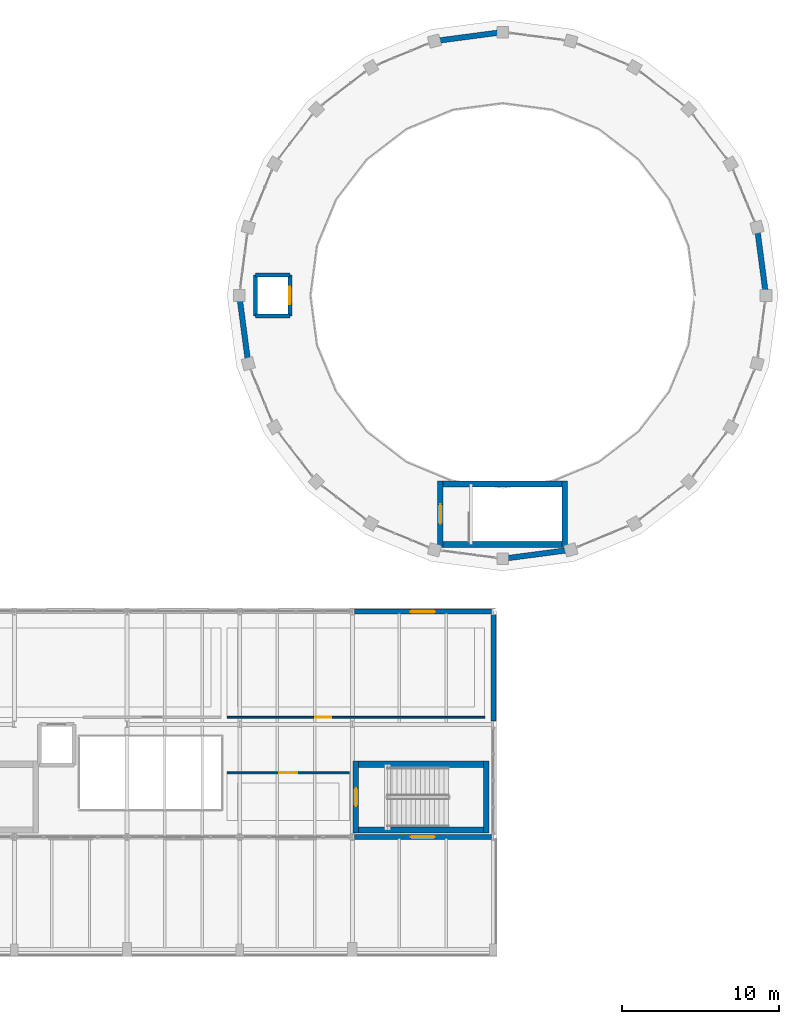
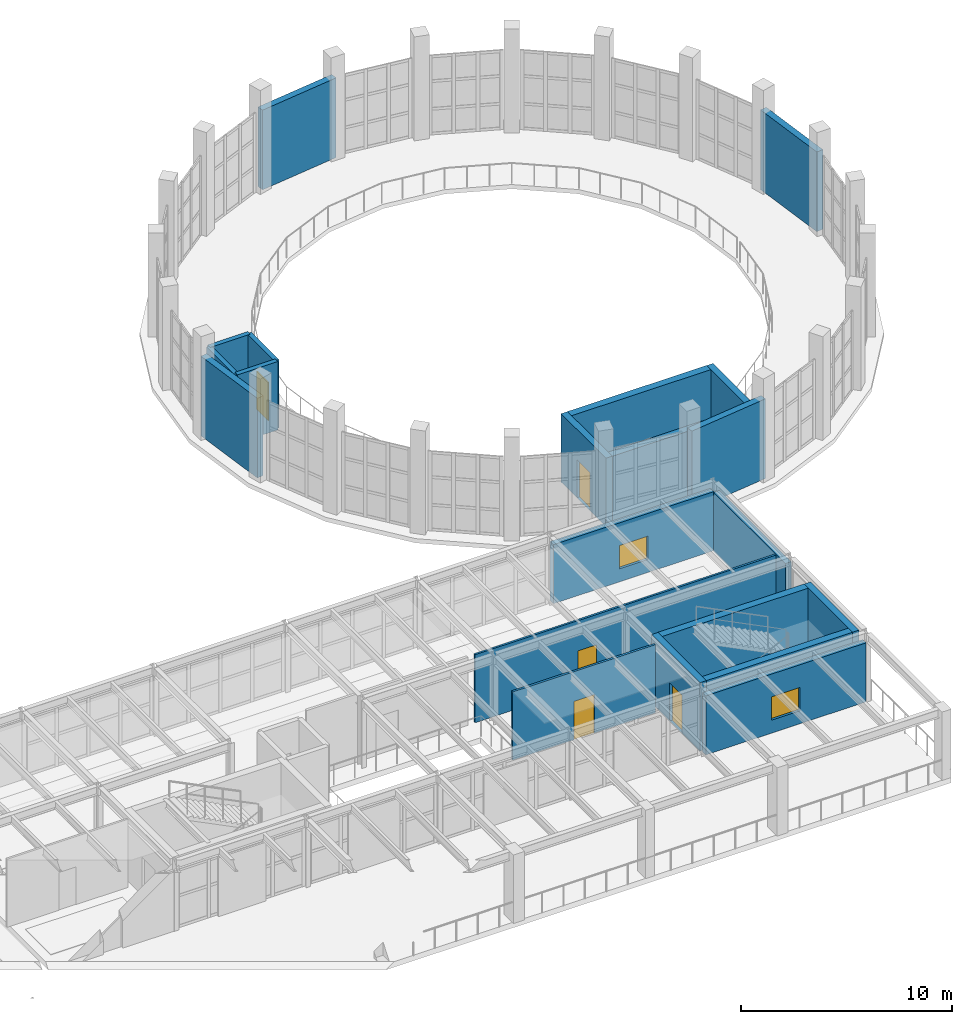
# One storey, part 43 of 59: 21 walls, 5 doors, 2 windows, 7 openings.
"""IFC4 building model written with IfcOpenShell, lengths in metres."""

from ifc_helpers import new_model, si_unit, direction, frame, frame_2d, origin, place, context, subcontext, project, spatial, rectangle, extrude, material, layer, layer_set, type_object, element, fill, save


model = new_model("IFC4")

# Units and contexts
model_context = context("Model", 3, precision=1e-05, world=origin(), true_north=direction((0.0, 1.0)))
body_context = subcontext(model_context, "Body", "Model", "MODEL_VIEW")
ifc_project = project(units=[si_unit("LENGTHUNIT", "METRE"), si_unit("AREAUNIT", "SQUARE_METRE"), si_unit("VOLUMEUNIT", "CUBIC_METRE"), si_unit("PLANEANGLEUNIT", "RADIAN"), si_unit("MASSUNIT", "GRAM", prefix="KILO")], contexts=[model_context])

# Site, building, storey
site_placement = place(None, origin())
site = spatial("IfcSite", under=ifc_project, at=site_placement, CompositionType="ELEMENT")
building_placement = place(site_placement, origin())
building = spatial("IfcBuilding", under=site, at=building_placement, Name="Kandorven Conservatory and Botanical Research Centre", CompositionType="ELEMENT")
storey_placement = place(building_placement, frame((0.0, 0.0, 4.800048828125)))
storey = spatial("IfcBuildingStorey", under=building, at=storey_placement, Name="L01", CompositionType="ELEMENT", Elevation=4.800048828125)

# Walls
ifc_material_1 = material(Name="Concrete C40/50 (M50)", Category="concrete")
ifc_layer_1 = layer(ifc_material_1, 0.39990234375)
ifc_layer_set_1 = layer_set([ifc_layer_1], Name="Concrete C40/50 (M50)")
wall_type_1 = type_object("IfcWallType", Name="Wall_CW-RC-1", PredefinedType="SHEAR", material=ifc_layer_set_1)
for number, where, z_axis, x_axis, name in (
    (1, (78.39990234375, 13.64501953125, 0.0), (0.0, 0.0, 1.0), (1.0, 0.0, 0.0), "Core stair shear wall CW-RC-1 ST-V3B L01 side A"),
    (2, (78.39990234375, 17.844970703125, 0.0), (0.0, 0.0, 1.0), (1.0, 0.0, 0.0), "Core stair shear wall CW-RC-1 ST-V3B L01 side B"),
):
    element("IfcWall", number, at=place(storey_placement, frame(where, z_axis=z_axis, x_axis=x_axis)), inside=storey, type_object=wall_type_1, Name=name, PredefinedType="SHEAR", context=body_context, shape_type="SweptSolid", body=[
        extrude(rectangle(XDim=7.97998046875, YDim=0.39990234375, at=frame_2d((3.989990234375, 0.0))), origin(), (0.0, 0.0, 1.0), 3.949951171875),
    ])
for number, where, z_axis, x_axis, name in (
    (3, (83.800048828125, 31.89501953125, 0.0), (0.0, 0.0, 1.0), (1.0, 0.0, 0.0), "Core stair shear wall CW-RC-1 ST-V1 L01 side A"),
    (4, (83.800048828125, 35.7548828125, 0.0), (0.0, 0.0, 1.0), (1.0, 0.0, 0.0), "Core stair shear wall CW-RC-1 ST-V1 L01 side B"),
):
    element("IfcWall", number, at=place(storey_placement, frame(where, z_axis=z_axis, x_axis=x_axis)), inside=storey, type_object=wall_type_1, Name=name, PredefinedType="SHEAR", context=body_context, shape_type="SweptSolid", body=[
        extrude(rectangle(XDim=7.599853515625, YDim=0.39990234375, at=frame_2d((3.7998046875, 0.0))), origin(), (0.0, 0.0, 1.0), 3.949951171875),
    ])

# Wall, opening, door
ifc_material_2 = material(Name="Concrete C40/50 (M50)", Category="concrete")
ifc_layer_2 = layer(ifc_material_2, 0.35009765625)
ifc_layer_set_2 = layer_set([ifc_layer_2], Name="Concrete C40/50 (M50)")
wall_type_2 = type_object("IfcWallType", Name="Wall_CW-RC-2", PredefinedType="SHEAR", material=ifc_layer_set_2)
wall_1_placement = place(storey_placement, frame((78.22509765625, 13.449951171875, 0.0), z_axis=(0.0, 0.0, 1.0), x_axis=(0.0, 1.0, 0.0)))
wall_1 = element("IfcWall", 5, at=wall_1_placement, inside=storey, type_object=wall_type_2, Name="Core stair shear wall CW-RC-2 ST-V3B L01 entry", PredefinedType="SHEAR", context=body_context, shape_type="SweptSolid", body=[
    extrude(rectangle(XDim=4.590087890625, YDim=0.35009765625, at=frame_2d((2.294921875, 0.0))), origin(), (0.0, 0.0, 1.0), 3.949951171875),
])
opening_1_placement = place(wall_1_placement, frame((1.719970703125, 0.0, 0.0)))
opening_1 = element("IfcOpeningElement", 6, at=opening_1_placement, cuts=wall_1, Name="Opening FD-2", PredefinedType="OPENING", context=body_context, shape_type="SweptSolid", body=[
    extrude(rectangle(XDim=1.14990234375, YDim=2.199951171875, at=frame_2d((0.574951171875, 1.10009765625))), frame((0.0, 0.18505859375, 0.0), z_axis=(0.0, -1.0, 0.0), x_axis=(1.0, 0.0, 0.0)), (0.0, 0.0, 1.0), 0.3701171875),
])
ifc_material_3 = material(Name="Galvanised hollow steel fire door assembly", Category="steel")
door_type_1 = type_object("IfcDoorType", Name="Door_FD-2", OperationType="NOTDEFINED", PredefinedType="DOOR", material=ifc_material_3)
door_1_placement = place(opening_1_placement, origin())
door_1 = element("IfcDoor", 7, at=door_1_placement, inside=storey, type_object=door_type_1, Name="Exit stair fire door FD-2 ST-V3B L01", OperationType="SINGLE_SWING_RIGHT", OverallHeight=2.199951171875, OverallWidth=1.14990234375, PredefinedType="DOOR", context=body_context, shape_type="SweptSolid", body=[
    extrude(rectangle(XDim=1.14990234375, YDim=2.199951171875, at=frame_2d((0.574951171875, 1.10009765625))), frame((0.0, 0.02490234375, 0.0), z_axis=(0.0, -1.0, 0.0), x_axis=(1.0, 0.0, 0.0)), (0.0, 0.0, 1.0), 0.050048828125),
])
fill(opening_1, door_1)

# Wall
wall_2_placement = place(storey_placement, frame((86.554931640625, 13.449951171875, 0.0), z_axis=(0.0, 0.0, 1.0), x_axis=(0.0, 1.0, 0.0)))
element("IfcWall", 8, at=wall_2_placement, inside=storey, type_object=wall_type_2, Name="Core stair shear wall CW-RC-2 ST-V3B L01 far", PredefinedType="SHEAR", context=body_context, shape_type="SweptSolid", body=[
    extrude(rectangle(XDim=4.590087890625, YDim=0.35009765625, at=frame_2d((2.294921875, 0.0))), origin(), (0.0, 0.0, 1.0), 3.949951171875),
])

# Wall, opening, door
wall_3_placement = place(storey_placement, frame((83.625, 31.699951171875, 0.0), z_axis=(0.0, 0.0, 1.0), x_axis=(0.0, 1.0, 0.0)))
wall_3 = element("IfcWall", 9, at=wall_3_placement, inside=storey, type_object=wall_type_2, Name="Core stair shear wall CW-RC-2 ST-V1 L01 entry", PredefinedType="SHEAR", context=body_context, shape_type="SweptSolid", body=[
    extrude(rectangle(XDim=4.25, YDim=0.35009765625, at=frame_2d((2.125, 0.0))), origin(), (0.0, 0.0, 1.0), 3.949951171875),
])
opening_2_placement = place(wall_3_placement, frame((1.5, 0.0, 0.0)))
opening_2 = element("IfcOpeningElement", 10, at=opening_2_placement, cuts=wall_3, Name="Opening FD-1", PredefinedType="OPENING", context=body_context, shape_type="SweptSolid", body=[
    extrude(rectangle(XDim=1.25, YDim=2.199951171875, at=frame_2d((0.625, 1.10009765625))), frame((0.0, 0.18505859375, 0.0), z_axis=(0.0, -1.0, 0.0), x_axis=(1.0, 0.0, 0.0)), (0.0, 0.0, 1.0), 0.3701171875),
])
ifc_material_4 = material(Name="Galvanised hollow steel fire door assembly", Category="steel")
door_type_2 = type_object("IfcDoorType", Name="Door_FD-1", OperationType="NOTDEFINED", PredefinedType="DOOR", material=ifc_material_4)
door_2_placement = place(opening_2_placement, origin())
door_2 = element("IfcDoor", 11, at=door_2_placement, inside=storey, type_object=door_type_2, Name="Exit stair fire door FD-1 ST-V1 L01", OperationType="SINGLE_SWING_LEFT", OverallHeight=2.199951171875, OverallWidth=1.25, PredefinedType="DOOR", context=body_context, shape_type="SweptSolid", body=[
    extrude(rectangle(XDim=1.25, YDim=2.199951171875, at=frame_2d((0.625, 1.10009765625))), frame((0.0, 0.02490234375, 0.0), z_axis=(0.0, -1.0, 0.0), x_axis=(1.0, 0.0, 0.0)), (0.0, 0.0, 1.0), 0.050048828125),
])
fill(opening_2, door_2)

# Walls
wall_4_placement = place(storey_placement, frame((91.574951171875, 31.699951171875, 0.0), z_axis=(0.0, 0.0, 1.0), x_axis=(0.0, 1.0, 0.0)))
element("IfcWall", 12, at=wall_4_placement, inside=storey, type_object=wall_type_2, Name="Core stair shear wall CW-RC-2 ST-V1 L01 far", PredefinedType="SHEAR", context=body_context, shape_type="SweptSolid", body=[
    extrude(rectangle(XDim=4.25, YDim=0.35009765625, at=frame_2d((2.125, 0.0))), origin(), (0.0, 0.0, 1.0), 3.949951171875),
])
for number, where, z_axis, x_axis, name in (
    (13, (71.800048828125, 46.5, 0.0), (0.0, 0.0, 1.0), (1.0, 0.0, 0.0), "Lift shaft wall CL-1 L01 S"),
    (14, (71.800048828125, 49.10009765625, 0.0), (0.0, 0.0, 1.0), (1.0, 0.0, 0.0), "Lift shaft wall CL-1 L01 N"),
):
    element("IfcWall", number, at=place(storey_placement, frame(where, z_axis=z_axis, x_axis=x_axis)), inside=storey, type_object=wall_type_2, Name=name, PredefinedType="SHEAR", context=body_context, shape_type="SweptSolid", body=[
        extrude(rectangle(XDim=2.199951171875, YDim=0.25, at=frame_2d((1.10009765625, 0.0))), origin(), (0.0, 0.0, 1.0), 3.949951171875),
    ])
wall_5_placement = place(storey_placement, frame((71.800048828125, 46.5, 0.0), z_axis=(0.0, 0.0, 1.0), x_axis=(0.0, 1.0, 0.0)))
element("IfcWall", 15, at=wall_5_placement, inside=storey, type_object=wall_type_2, Name="Lift shaft wall CL-1 L01 W", PredefinedType="SHEAR", context=body_context, shape_type="SweptSolid", body=[
    extrude(rectangle(XDim=2.60009765625, YDim=0.25, at=frame_2d((1.300048828125, 0.0))), origin(), (0.0, 0.0, 1.0), 3.949951171875),
])

# Wall, opening, door
wall_6_placement = place(storey_placement, frame((74.0, 46.5, 0.0), z_axis=(0.0, 0.0, 1.0), x_axis=(0.0, 1.0, 0.0)))
wall_6 = element("IfcWall", 16, at=wall_6_placement, inside=storey, type_object=wall_type_2, Name="Lift shaft wall CL-1 L01 E", PredefinedType="SHEAR", context=body_context, shape_type="SweptSolid", body=[
    extrude(rectangle(XDim=2.60009765625, YDim=0.25, at=frame_2d((1.300048828125, 0.0))), origin(), (0.0, 0.0, 1.0), 3.949951171875),
])
opening_3_placement = place(wall_6_placement, frame((0.75, 0.0, 0.0)))
opening_3 = element("IfcOpeningElement", 17, at=opening_3_placement, cuts=wall_6, Name="Opening LD-01", PredefinedType="OPENING", context=body_context, shape_type="SweptSolid", body=[
    extrude(rectangle(XDim=1.10009765625, YDim=2.199951171875, at=frame_2d((0.550048828125, 1.10009765625))), frame((0.0, 0.135009765625, 0.0), z_axis=(0.0, -1.0, 0.0), x_axis=(1.0, 0.0, 0.0)), (0.0, 0.0, 1.0), 0.27001953125),
])
ifc_material_5 = material(Name="Anodised aluminium sliding landing door", Category="aluminium")
door_type_3 = type_object("IfcDoorType", Name="Door_LD-01", OperationType="DOUBLE_DOOR_SLIDING", PredefinedType="DOOR", material=ifc_material_5)
door_3_placement = place(opening_3_placement, origin())
door_3 = element("IfcDoor", 18, at=door_3_placement, inside=storey, type_object=door_type_3, Name="Lift landing sliding door LD-01 (CL-1 L01)", OperationType="DOUBLE_DOOR_SLIDING", OverallHeight=2.199951171875, OverallWidth=1.10009765625, PredefinedType="DOOR", context=body_context, shape_type="SweptSolid", body=[
    extrude(rectangle(XDim=1.10009765625, YDim=2.199951171875, at=frame_2d((0.550048828125, 1.10009765625))), frame((0.0, 0.02490234375, 0.0), z_axis=(0.0, -1.0, 0.0), x_axis=(1.0, 0.0, 0.0)), (0.0, 0.0, 1.0), 0.050048828125),
])
fill(opening_3, door_3)

# Wall, opening, window
ifc_material_6 = material(Name="Concrete C32/40 (M40)", Category="concrete")
ifc_layer_3 = layer(ifc_material_6, 0.320068359375)
ifc_layer_set_3 = layer_set([ifc_layer_3], Name="Concrete C32/40 (M40)")
wall_type_3 = type_object("IfcWallType", Name="Wall_EW-03", PredefinedType="STANDARD", material=ifc_layer_set_3)
wall_7_placement = place(storey_placement, frame((78.125, 13.199951171875, 0.0), z_axis=(0.0, 0.0, 1.0), x_axis=(1.0, 0.0, 0.0)))
wall_7 = element("IfcWall", 19, at=wall_7_placement, inside=storey, type_object=wall_type_3, Name="Visitor centre concrete wall EW-03 S L01", PredefinedType="STANDARD", context=body_context, shape_type="SweptSolid", body=[
    extrude(rectangle(XDim=8.75, YDim=0.320068359375, at=frame_2d((4.375, 0.0))), origin(), (0.0, 0.0, 1.0), 3.409912109375),
])
opening_4_placement = place(wall_7_placement, frame((3.60009765625, 0.0, 0.75)))
opening_4 = element("IfcOpeningElement", 20, at=opening_4_placement, cuts=wall_7, Name="Opening W-33", PredefinedType="OPENING", context=body_context, shape_type="SweptSolid", body=[
    extrude(rectangle(XDim=1.550048828125, YDim=1.35009765625, at=frame_2d((0.77490234375, 0.675048828125))), frame((0.0, 0.169921875, 0.0), z_axis=(0.0, -1.0, 0.0), x_axis=(1.0, 0.0, 0.0)), (0.0, 0.0, 1.0), 0.340087890625),
])
ifc_material_7 = material(Name="Double-glazed solar-control low-E glass", Category="glass")
window_type = type_object("IfcWindowType", Name="Win_W-33", PartitioningType="DOUBLE_PANEL_VERTICAL", PredefinedType="WINDOW", material=ifc_material_7)
window_1_placement = place(opening_4_placement, origin())
window_1 = element("IfcWindow", 21, at=window_1_placement, inside=storey, type_object=window_type, Name="Visitor wing deep-reveal window W-33", OverallHeight=1.35009765625, OverallWidth=1.550048828125, PartitioningType="SINGLE_PANEL", PredefinedType="WINDOW", context=body_context, shape_type="SweptSolid", body=[
    extrude(rectangle(XDim=1.550048828125, YDim=1.35009765625, at=frame_2d((0.77490234375, 0.675048828125))), frame((0.0, 0.030029296875, 0.0), z_axis=(0.0, -1.0, 0.0), x_axis=(1.0, 0.0, 0.0)), (0.0, 0.0, 1.0), 0.06005859375),
])
fill(opening_4, window_1)

wall_8_placement = place(storey_placement, frame((78.125, 27.60009765625, 0.0), z_axis=(0.0, 0.0, 1.0), x_axis=(1.0, 0.0, 0.0)))
wall_8 = element("IfcWall", 22, at=wall_8_placement, inside=storey, type_object=wall_type_3, Name="Visitor centre concrete wall EW-03 N L01", PredefinedType="STANDARD", context=body_context, shape_type="SweptSolid", body=[
    extrude(rectangle(XDim=8.75, YDim=0.320068359375, at=frame_2d((4.375, 0.0))), origin(), (0.0, 0.0, 1.0), 3.409912109375),
])
opening_5_placement = place(wall_8_placement, frame((3.60009765625, 0.0, 0.75)))
opening_5 = element("IfcOpeningElement", 23, at=opening_5_placement, cuts=wall_8, Name="Opening W-33", PredefinedType="OPENING", context=body_context, shape_type="SweptSolid", body=[
    extrude(rectangle(XDim=1.550048828125, YDim=1.35009765625, at=frame_2d((0.77490234375, 0.675048828125))), frame((0.0, 0.169921875, 0.0), z_axis=(0.0, -1.0, 0.0), x_axis=(1.0, 0.0, 0.0)), (0.0, 0.0, 1.0), 0.340087890625),
])
window_2_placement = place(opening_5_placement, origin())
window_2 = element("IfcWindow", 24, at=window_2_placement, inside=storey, type_object=window_type, Name="Visitor wing deep-reveal window W-33", OverallHeight=1.35009765625, OverallWidth=1.550048828125, PartitioningType="SINGLE_PANEL", PredefinedType="WINDOW", context=body_context, shape_type="SweptSolid", body=[
    extrude(rectangle(XDim=1.550048828125, YDim=1.35009765625, at=frame_2d((0.77490234375, 0.675048828125))), frame((0.0, 0.030029296875, 0.0), z_axis=(0.0, -1.0, 0.0), x_axis=(1.0, 0.0, 0.0)), (0.0, 0.0, 1.0), 0.06005859375),
])
fill(opening_5, window_2)

# Walls
wall_9_placement = place(storey_placement, frame((87.0, 20.60009765625, 0.0), z_axis=(0.0, 0.0, 1.0), x_axis=(0.0, 1.0, 0.0)))
element("IfcWall", 25, at=wall_9_placement, inside=storey, type_object=wall_type_3, Name="Visitor wing east end wall EW-03 L01", PredefinedType="STANDARD", context=body_context, shape_type="SweptSolid", body=[
    extrude(rectangle(XDim=6.7998046875, YDim=0.320068359375, at=frame_2d((3.39990234375, 0.0))), origin(), (0.0, 0.0, 1.0), 3.409912109375),
])
ifc_material_8 = material(Name="Concrete C40/50 (M50)", Category="concrete")
ifc_layer_4 = layer(ifc_material_8, 0.35009765625)
ifc_layer_set_4 = layer_set([ifc_layer_4], Name="Concrete C40/50 (M50)")
wall_type_4 = type_object("IfcWallType", Name="Wall_EW-DR-01", PredefinedType="STANDARD", material=ifc_layer_set_4)
wall_10_placement = place(storey_placement, frame((104.425048828125, 47.800048828125, 0.0), z_axis=(0.0, 0.0, 1.0), x_axis=(-0.130517780591, 0.991445968749, 0.0)))
element("IfcWall", 26, at=wall_10_placement, inside=storey, type_object=wall_type_4, Name="Conservatory drum solid pier bay S01", PredefinedType="STANDARD", context=body_context, shape_type="SweptSolid", body=[
    extrude(rectangle(XDim=4.39208984375, YDim=0.35009765625, at=frame_2d((2.196044921875, 0.0))), origin(), (0.0, 0.0, 1.0), 4.599853515625),
])
for number, where, z_axis, x_axis, name in (
    (27, (87.60009765625, 64.625, 0.0), (0.0, 0.0, 1.0), (-0.991446915586, -0.13051058798, 0.0), "Conservatory drum solid pier bay S07"),
    (28, (70.77490234375, 47.800048828125, 0.0), (0.0, 0.0, 1.0), (0.130565224353, -0.991439721914, 0.0), "Conservatory drum solid pier bay S13"),
):
    element("IfcWall", number, at=place(storey_placement, frame(where, z_axis=z_axis, x_axis=x_axis)), inside=storey, type_object=wall_type_4, Name=name, PredefinedType="STANDARD", context=body_context, shape_type="SweptSolid", body=[
        extrude(rectangle(XDim=4.392333984375, YDim=0.35009765625, at=frame_2d((2.1962890625, 0.0))), origin(), (0.0, 0.0, 1.0), 4.599853515625),
    ])
wall_11_placement = place(storey_placement, frame((87.60009765625, 30.97509765625, 0.0), z_axis=(0.0, 0.0, 1.0), x_axis=(0.991445968749, 0.130517780591, 0.0)))
element("IfcWall", 29, at=wall_11_placement, inside=storey, type_object=wall_type_4, Name="Conservatory drum solid pier bay S19", PredefinedType="STANDARD", context=body_context, shape_type="SweptSolid", body=[
    extrude(rectangle(XDim=4.39208984375, YDim=0.35009765625, at=frame_2d((2.196044921875, 0.0))), origin(), (0.0, 0.0, 1.0), 4.599853515625),
])

# Wall, opening, door
ifc_material_9 = material(Name="Fire-rated acoustic gypsum board partition", Category="gypsum")
ifc_layer_5 = layer(ifc_material_9, 0.114013671875)
ifc_layer_set_5 = layer_set([ifc_layer_5], Name="Fire-rated acoustic gypsum board partition")
wall_type_5 = type_object("IfcWallType", Name="Wall_IW-12", PredefinedType="PARTITIONING", material=ifc_layer_set_5)
wall_12_placement = place(storey_placement, frame((70.0, 20.85009765625, 0.0), z_axis=(0.0, 0.0, 1.0), x_axis=(1.0, 0.0, 0.0)))
wall_12 = element("IfcWall", 30, at=wall_12_placement, inside=storey, type_object=wall_type_5, Name="Interior partition wall IW-12 (Medicinal Plants and Ethnobotany Exhibition Gallery)", PredefinedType="PARTITIONING", context=body_context, shape_type="SweptSolid", body=[
    extrude(rectangle(XDim=16.449951171875, YDim=0.114013671875, at=frame_2d((8.22509765625, 0.0))), origin(), (0.0, 0.0, 1.0), 3.929931640625),
])
opening_6_placement = place(wall_12_placement, frame((5.62548828125, 0.0, 0.0)))
opening_6 = element("IfcOpeningElement", 31, at=opening_6_placement, cuts=wall_12, Name="Opening D-21", PredefinedType="OPENING", context=body_context, shape_type="SweptSolid", body=[
    extrude(rectangle(XDim=1.02001953125, YDim=2.179931640625, at=frame_2d((0.510009765625, 1.08984375))), frame((0.0, 0.06689453125, 0.0), z_axis=(0.0, -1.0, 0.0), x_axis=(1.0, 0.0, 0.0)), (0.0, 0.0, 1.0), 0.134033203125),
])
ifc_material_10 = material(Name="Solid core acoustic teak-veneered timber leaf", Category="wood")
door_type_4 = type_object("IfcDoorType", Name="Door_D-21", OperationType="NOTDEFINED", PredefinedType="DOOR", material=ifc_material_10)
door_4_placement = place(opening_6_placement, frame((1.02001953125, 0.0, 0.0), z_axis=(0.0, 0.0, 1.0), x_axis=(-1.0, 0.0, 0.0)))
door_4 = element("IfcDoor", 32, at=door_4_placement, inside=storey, type_object=door_type_4, Name="Interior door D-21 to Medicinal Plants and Ethnobotany Exhibition Gallery", OperationType="SINGLE_SWING_LEFT", OverallHeight=2.179931640625, OverallWidth=1.02001953125, PredefinedType="DOOR", context=body_context, shape_type="SweptSolid", body=[
    extrude(rectangle(XDim=1.02001953125, YDim=2.179931640625, at=frame_2d((0.510009765625, 1.08984375))), frame((0.0, 0.02490234375, 0.0), z_axis=(0.0, -1.0, 0.0), x_axis=(1.0, 0.0, 0.0)), (0.0, 0.0, 1.0), 0.050048828125),
])
fill(opening_6, door_4)

ifc_material_11 = material(Name="Fire-rated acoustic gypsum board partition", Category="gypsum")
ifc_layer_6 = layer(ifc_material_11, 0.1259765625)
ifc_layer_set_6 = layer_set([ifc_layer_6], Name="Fire-rated acoustic gypsum board partition")
wall_type_6 = type_object("IfcWallType", Name="Wall_IW-13", PredefinedType="PARTITIONING", material=ifc_layer_set_6)
wall_13_placement = place(storey_placement, frame((70.0, 17.300048828125, 0.0), z_axis=(0.0, 0.0, 1.0), x_axis=(1.0, 0.0, 0.0)))
wall_13 = element("IfcWall", 33, at=wall_13_placement, inside=storey, type_object=wall_type_6, Name="Interior partition wall IW-13 (Sacred Groves of Western India Exhibition Gallery)", PredefinedType="PARTITIONING", context=body_context, shape_type="SweptSolid", body=[
    extrude(rectangle(XDim=7.800048828125, YDim=0.1259765625, at=frame_2d((3.89990234375, 0.0))), origin(), (0.0, 0.0, 1.0), 3.929931640625),
])
opening_7_placement = place(wall_13_placement, frame((3.340087890625, 0.0, 0.0)))
opening_7 = element("IfcOpeningElement", 34, at=opening_7_placement, cuts=wall_13, Name="Opening D-22", PredefinedType="OPENING", context=body_context, shape_type="SweptSolid", body=[
    extrude(rectangle(XDim=1.1201171875, YDim=2.219970703125, at=frame_2d((0.56005859375, 1.10986328125))), frame((0.0, 0.072998046875, 0.0), z_axis=(0.0, -1.0, 0.0), x_axis=(1.0, 0.0, 0.0)), (0.0, 0.0, 1.0), 0.14599609375),
])
ifc_material_12 = material(Name="Solid core acoustic teak-veneered timber leaf", Category="wood")
door_type_5 = type_object("IfcDoorType", Name="Door_D-22", OperationType="NOTDEFINED", PredefinedType="DOOR", material=ifc_material_12)
door_5_placement = place(opening_7_placement, origin())
door_5 = element("IfcDoor", 35, at=door_5_placement, inside=storey, type_object=door_type_5, Name="Interior door D-22 to Sacred Groves of Western India Exhibition Gallery", OperationType="SINGLE_SWING_RIGHT", OverallHeight=2.219970703125, OverallWidth=1.1201171875, PredefinedType="DOOR", context=body_context, shape_type="SweptSolid", body=[
    extrude(rectangle(XDim=1.1201171875, YDim=2.219970703125, at=frame_2d((0.56005859375, 1.10986328125))), frame((0.0, 0.02490234375, 0.0), z_axis=(0.0, -1.0, 0.0), x_axis=(1.0, 0.0, 0.0)), (0.0, 0.0, 1.0), 0.050048828125),
])
fill(opening_7, door_5)

save(model, "model.ifc")
